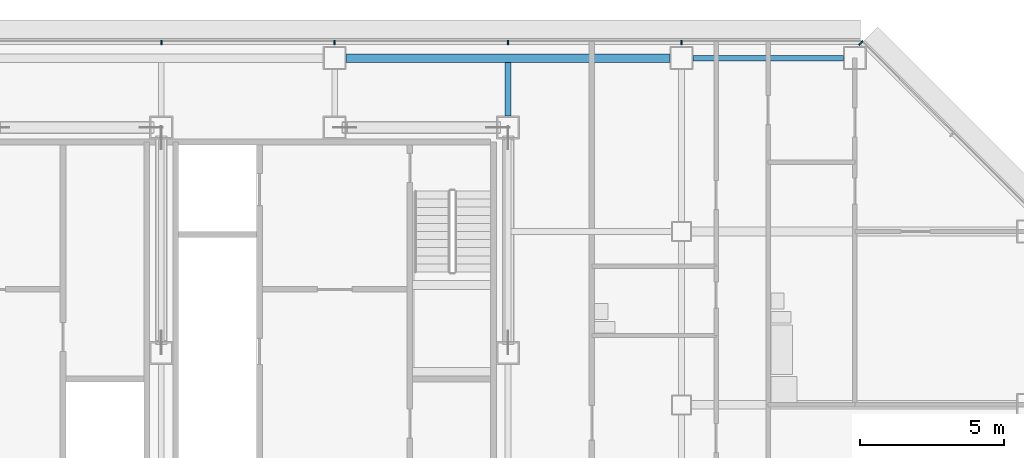
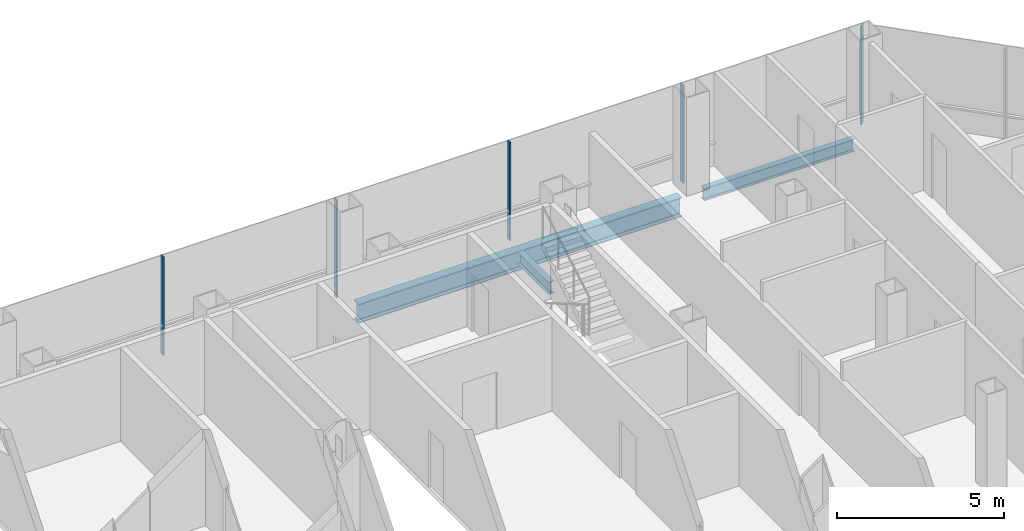
# One storey, part 14 of 25: 5 members, 3 beams, 2 elements without a shape of their own.
"""IFC4 building model written with IfcOpenShell, lengths in metres."""

from ifc_helpers import new_model, si_unit, direction, frame, origin, origin_2d, place, context, subcontext, project, spatial, rectangle, i_section, extrude, material, material_profile, profile_set, type_object, element, aggregate, save


model = new_model("IFC4")

# Units and contexts
model_context = context("Model", 3, precision=1e-05, world=origin(), true_north=direction((0.0, 1.0)))
body_context = subcontext(model_context, "Body", "Model", "MODEL_VIEW")
ifc_project = project(units=[si_unit("LENGTHUNIT", "METRE"), si_unit("AREAUNIT", "SQUARE_METRE"), si_unit("VOLUMEUNIT", "CUBIC_METRE"), si_unit("PLANEANGLEUNIT", "RADIAN"), si_unit("MASSUNIT", "GRAM", prefix="KILO")], contexts=[model_context])

# Site, building, storey
site_placement = place(None, origin())
site = spatial("IfcSite", under=ifc_project, at=site_placement, CompositionType="ELEMENT")
building_placement = place(site_placement, origin())
building = spatial("IfcBuilding", under=site, at=building_placement, Name="Sorahane Residences", CompositionType="ELEMENT")
storey_placement = place(building_placement, frame((0.0, 0.0, 99.800048828125)))
storey = spatial("IfcBuildingStorey", under=building, at=storey_placement, Name="L21", CompositionType="ELEMENT", Elevation=99.800048828125)

# Curtain wall, members
ifc_material_1 = material(Name="Dark low-e glass and black anodised aluminium", Category="aluminium")
curtain_wall_type_1 = type_object("IfcCurtainWallType", Name="Curtain wall CW-1 Typical unitised wall", PredefinedType="NOTDEFINED", material=ifc_material_1)
curtain_wall_1_placement = place(storey_placement, origin())
curtain_wall_1 = element("IfcCurtainWall", 1, at=curtain_wall_1_placement, inside=storey, type_object=curtain_wall_type_1, Name="CW-1 curtain wall L21 N1", PredefinedType="NOTDEFINED")
ifc_material_2 = material(Name="Black anodised aluminium", Category="aluminium")
ifc_material_profile_1 = material_profile(ifc_material_2, rectangle(XDim=0.159912109375, YDim=0.050048828125, at=origin_2d()), Name="Curtain wall mullion CW-1 black anodised aluminium 50x160")
ifc_profile_set_1 = profile_set([ifc_material_profile_1], Name="Black anodised aluminium")
member_type_1 = type_object("IfcMemberType", Name="Curtain wall mullion CW-1 black anodised aluminium 50x160", PredefinedType="MULLION", material=ifc_profile_set_1)
member_1_placement = place(storey_placement, frame((48.0, 48.5400390625, -0.179931640625), z_axis=(0.0, 0.0, 1.0), x_axis=(0.0, 1.0, 0.0)))
member_1 = element("IfcMember", 2, at=member_1_placement, type_object=member_type_1, Name="CW-1 mullion L21 N1.2", PredefinedType="MULLION", context=body_context, shape_type="SweptSolid", body=[
    extrude(rectangle(XDim=0.159912109375, YDim=0.050048828125, at=origin_2d()), origin(), (0.0, 0.0, 1.0), 3.599853515625),
])
member_2_placement = place(storey_placement, frame((42.0, 48.5400390625, -0.179931640625), z_axis=(0.0, 0.0, 1.0), x_axis=(0.0, 1.0, 0.0)))
member_2 = element("IfcMember", 3, at=member_2_placement, type_object=member_type_1, Name="CW-1 mullion L21 N1.3", PredefinedType="MULLION", context=body_context, shape_type="SweptSolid", body=[
    extrude(rectangle(XDim=0.159912109375, YDim=0.050048828125, at=origin_2d()), origin(), (0.0, 0.0, 1.0), 3.599853515625),
])
member_3_placement = place(storey_placement, frame((36.0, 48.5400390625, -0.179931640625), z_axis=(0.0, 0.0, 1.0), x_axis=(0.0, 1.0, 0.0)))
member_3 = element("IfcMember", 4, at=member_3_placement, type_object=member_type_1, Name="CW-1 mullion L21 N1.4", PredefinedType="MULLION", context=body_context, shape_type="SweptSolid", body=[
    extrude(rectangle(XDim=0.159912109375, YDim=0.050048828125, at=origin_2d()), origin(), (0.0, 0.0, 1.0), 3.599853515625),
])
member_4_placement = place(storey_placement, frame((30.0, 48.5400390625, -0.179931640625), z_axis=(0.0, 0.0, 1.0), x_axis=(0.0, 1.0, 0.0)))
member_4 = element("IfcMember", 5, at=member_4_placement, type_object=member_type_1, Name="CW-1 mullion L21 N1.5", PredefinedType="MULLION", context=body_context, shape_type="SweptSolid", body=[
    extrude(rectangle(XDim=0.159912109375, YDim=0.050048828125, at=origin_2d()), origin(), (0.0, 0.0, 1.0), 3.599853515625),
])
aggregate(curtain_wall_1, [member_1, member_2, member_3, member_4])

# Curtain wall, member
ifc_material_3 = material(Name="Dark low-e glass and black anodised aluminium", Category="aluminium")
curtain_wall_type_2 = type_object("IfcCurtainWallType", Name="Curtain wall CW-2 Chamfer unitised wall", PredefinedType="NOTDEFINED", material=ifc_material_3)
curtain_wall_2_placement = place(storey_placement, origin())
curtain_wall_2 = element("IfcCurtainWall", 6, at=curtain_wall_2_placement, inside=storey, type_object=curtain_wall_type_2, Name="CW-2 curtain wall L21 NE1", PredefinedType="NOTDEFINED")
ifc_material_4 = material(Name="Black anodised aluminium", Category="aluminium")
ifc_material_profile_2 = material_profile(ifc_material_4, rectangle(XDim=0.199951171875, YDim=0.050048828125, at=origin_2d()), Name="Curtain wall mullion CW-2 black anodised aluminium 50x200")
ifc_profile_set_2 = profile_set([ifc_material_profile_2], Name="Black anodised aluminium")
member_type_2 = type_object("IfcMemberType", Name="Curtain wall mullion CW-2 black anodised aluminium 50x200", PredefinedType="MULLION", material=ifc_profile_set_2)
member_5_placement = place(storey_placement, frame((54.209716796875, 48.525634765625, -0.179931640625), z_axis=(0.0, 0.0, 1.0), x_axis=(0.707106781187, 0.707106781187, 0.0)))
member_5 = element("IfcMember", 7, at=member_5_placement, type_object=member_type_2, Name="CW-2 mullion L21 NE1.3", PredefinedType="MULLION", context=body_context, shape_type="SweptSolid", body=[
    extrude(rectangle(XDim=0.199951171875, YDim=0.050048828125, at=origin_2d()), origin(), (0.0, 0.0, 1.0), 3.599853515625),
])
aggregate(curtain_wall_2, [member_5])

# Beams
ifc_material_5 = material(Name="Steel Q355B", Category="steel")
ifc_material_profile_3 = material_profile(ifc_material_5, i_section(OverallWidth=0.199951171875, OverallDepth=0.449951171875, WebThickness=0.009033203125, FlangeThickness=0.013916015625, FilletRadius=0.02001953125, at=origin_2d()), Name="HN 450x200x9x14")
ifc_profile_set_3 = profile_set([ifc_material_profile_3], Name="Steel Q355B")
beam_type_1 = type_object("IfcBeamType", Name="Steel floor beam HN 450x200x9x14 Q355B", PredefinedType="BEAM", material=ifc_profile_set_3)
beam_1_placement = place(storey_placement, frame((48.39990234375, 48.0, -0.405029296875), z_axis=(1.0, 0.0, 0.0), x_axis=(0.0, 1.0, 0.0)))
element("IfcBeam", 8, at=beam_1_placement, inside=storey, type_object=beam_type_1, Name="Beam L21 019", PredefinedType="BEAM", context=body_context, shape_type="SweptSolid", body=[
    extrude(i_section(OverallWidth=0.199951171875, OverallDepth=0.449951171875, WebThickness=0.009033203125, FlangeThickness=0.013916015625, FilletRadius=0.02001953125, at=origin_2d()), origin(), (0.0, 0.0, 1.0), 5.2001953125),
])
beam_2_placement = place(storey_placement, frame((42.0, 46.0, -0.405029296875), z_axis=(0.0, 1.0, 0.0), x_axis=(-1.0, 0.0, 0.0)))
element("IfcBeam", 9, at=beam_2_placement, inside=storey, type_object=beam_type_1, Name="Beam L21 057", PredefinedType="BEAM", context=body_context, shape_type="SweptSolid", body=[
    extrude(i_section(OverallWidth=0.199951171875, OverallDepth=0.449951171875, WebThickness=0.009033203125, FlangeThickness=0.013916015625, FilletRadius=0.02001953125, at=origin_2d()), origin(), (0.0, 0.0, 1.0), 1.85009765625),
])
ifc_material_6 = material(Name="Steel Q355B", Category="steel")
ifc_material_profile_4 = material_profile(ifc_material_6, i_section(OverallWidth=0.300048828125, OverallDepth=0.699951171875, WebThickness=0.012939453125, FlangeThickness=0.02392578125, FilletRadius=0.028076171875, at=origin_2d()), Name="HN 700x300x13x24")
ifc_profile_set_4 = profile_set([ifc_material_profile_4], Name="Steel Q355B")
beam_type_2 = type_object("IfcBeamType", Name="Steel floor beam HN 700x300x13x24 Q355B", PredefinedType="BEAM", material=ifc_profile_set_4)
beam_3_placement = place(storey_placement, frame((36.39990234375, 48.0, -0.530029296875), z_axis=(1.0, 0.0, 0.0), x_axis=(0.0, 1.0, 0.0)))
element("IfcBeam", 10, at=beam_3_placement, inside=storey, type_object=beam_type_2, Name="Beam L21 018", PredefinedType="BEAM", context=body_context, shape_type="SweptSolid", body=[
    extrude(i_section(OverallWidth=0.300048828125, OverallDepth=0.699951171875, WebThickness=0.012939453125, FlangeThickness=0.02392578125, FilletRadius=0.028076171875, at=origin_2d()), origin(), (0.0, 0.0, 1.0), 11.2001953125),
])

save(model, "model.ifc")
